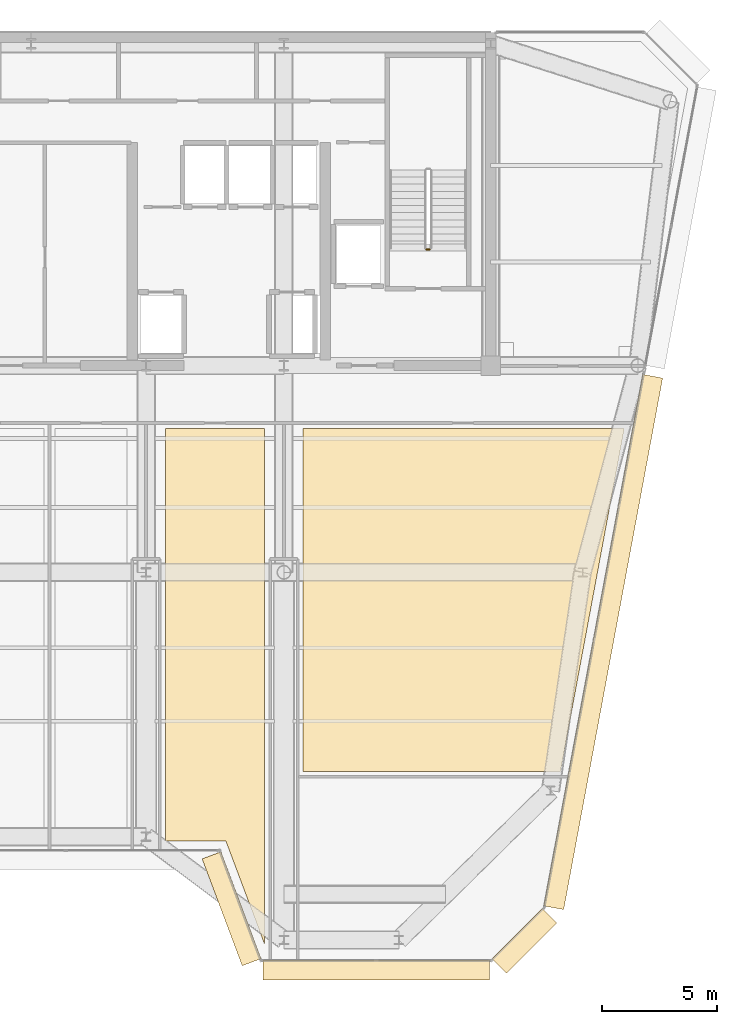
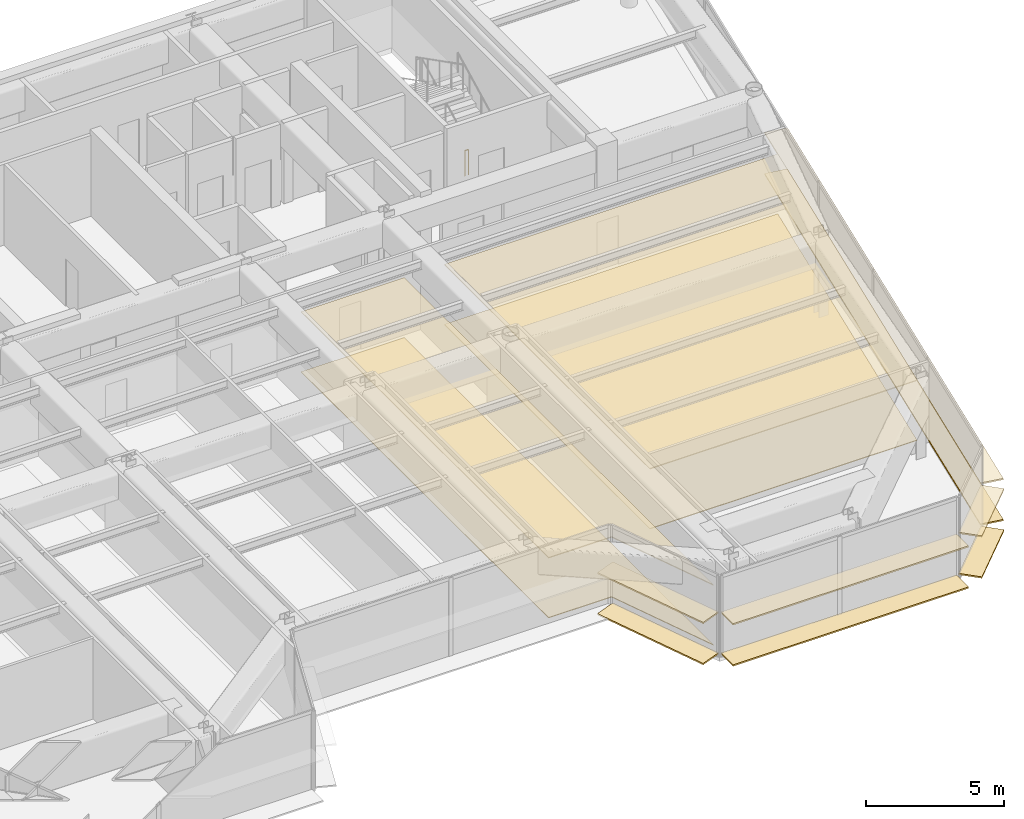
# One storey, part 15 of 18: 12 coverings, 1 railing.
"""IFC4 building model written with IfcOpenShell, lengths in metres."""

from ifc_helpers import new_model, si_unit, direction, frame, origin, origin_2d, place, context, subcontext, project, spatial, polyline, rectangle, circle, outline, extrude, source, transform, mapped, material, layer, layer_set, type_object, element, save


model = new_model("IFC4")

# Units and contexts
model_context = context("Model", 3, precision=1e-05, world=origin(), true_north=direction((0.0, 1.0)))
body_context = subcontext(model_context, "Body", "Model", "MODEL_VIEW")
ifc_project = project(units=[si_unit("LENGTHUNIT", "METRE"), si_unit("AREAUNIT", "SQUARE_METRE"), si_unit("VOLUMEUNIT", "CUBIC_METRE"), si_unit("PLANEANGLEUNIT", "RADIAN"), si_unit("MASSUNIT", "GRAM", prefix="KILO")], contexts=[model_context])

# Site, building, storey
site_placement = place(None, origin())
site = spatial("IfcSite", under=ifc_project, at=site_placement, CompositionType="ELEMENT")
building_placement = place(site_placement, origin())
building = spatial("IfcBuilding", under=site, at=building_placement, Name="Vaeldorn Concourse Tower", CompositionType="ELEMENT")
storey_placement = place(building_placement, frame((0.0, 0.0, 265.0)))
storey = spatial("IfcBuildingStorey", under=building, at=storey_placement, Name="L68", CompositionType="ELEMENT", Elevation=265.0)

# Coverings
ifc_material_1 = material(Name="Acoustic Mineral Fibre Board", Category="gypsum")
ifc_layer_1 = layer(ifc_material_1, 0.0400390625)
ifc_layer_set_1 = layer_set([ifc_layer_1], Name="Acoustic Mineral Fibre Board")
covering_type_1 = type_object("IfcCoveringType", Name="COV-CEIL-ACOUSTIC", PredefinedType="CEILING", material=ifc_layer_set_1)
covering_1_placement = place(storey_placement, frame((0.0, 0.0, 2.64990234375)))
element("IfcCovering", 1, at=covering_1_placement, inside=storey, type_object=covering_type_1, Name="Suspended Acoustic Ceiling L68-11", PredefinedType="CEILING", context=body_context, shape_type="SweptSolid", body=[
    extrude(outline(polyline([(39.840087890625, 15.800048828125), (39.840087890625, 33.760009765625), (44.159912109375, 33.760009765625), (44.159912109375, 11.3125), (42.477294921875, 15.800048828125), (39.840087890625, 15.800048828125)])), origin(), (0.0, 0.0, 1.0), 0.0400390625),
])
covering_2_placement = place(storey_placement, frame((0.0, 0.0, 2.64990234375)))
element("IfcCovering", 2, at=covering_2_placement, inside=storey, type_object=covering_type_1, Name="Suspended Acoustic Ceiling L68-12", PredefinedType="CEILING", context=body_context, shape_type="SweptSolid", body=[
    extrude(outline(polyline([(45.840087890625, 18.840087890625), (45.840087890625, 33.760009765625), (59.811279296875, 33.760009765625), (57.033203125, 18.840087890625), (45.840087890625, 18.840087890625)])), origin(), (0.0, 0.0, 1.0), 0.0400390625),
])
ifc_material_2 = material(Name="Honed Limestone Terrazzo Flooring", Category="masonry")
ifc_layer_2 = layer(ifc_material_2, 0.0400390625)
ifc_layer_set_2 = layer_set([ifc_layer_2], Name="Honed Limestone Terrazzo Flooring")
covering_type_2 = type_object("IfcCoveringType", Name="COV-FLOOR-STONE", PredefinedType="FLOORING", material=ifc_layer_set_2)
covering_3_placement = place(storey_placement, origin())
element("IfcCovering", 3, at=covering_3_placement, inside=storey, type_object=covering_type_2, Name="Floor Finish Covering L68-11", PredefinedType="FLOORING", context=body_context, shape_type="SweptSolid", body=[
    extrude(outline(polyline([(39.840087890625, 15.800048828125), (39.840087890625, 33.760009765625), (44.159912109375, 33.760009765625), (44.159912109375, 11.3125), (42.477294921875, 15.800048828125), (39.840087890625, 15.800048828125)])), origin(), (0.0, 0.0, 1.0), 0.030029296875),
])
covering_4_placement = place(storey_placement, origin())
element("IfcCovering", 4, at=covering_4_placement, inside=storey, type_object=covering_type_2, Name="Floor Finish Covering L68-12", PredefinedType="FLOORING", context=body_context, shape_type="SweptSolid", body=[
    extrude(outline(polyline([(45.840087890625, 18.840087890625), (45.840087890625, 33.760009765625), (59.811279296875, 33.760009765625), (57.033203125, 18.840087890625), (45.840087890625, 18.840087890625)])), origin(), (0.0, 0.0, 1.0), 0.030029296875),
])

# Railing
ifc_material_3 = material(Name="Anodised Bronze Aluminium", Category="aluminium")
railing_type = type_object("IfcRailingType", Name="RL-STAIR-GUARD", PredefinedType="GUARDRAIL", material=ifc_material_3)
railing_placement = place(storey_placement, frame((51.35009765625, 41.550048828125, 0.0)))
element("IfcRailing", 5, at=railing_placement, inside=storey, type_object=railing_type, Name="L68 ST-2 stair guard 4", PredefinedType="GUARDRAIL", context=body_context, shape_type="SweptSolid", body=[
    extrude(circle(Radius=0.02392578125, at=origin_2d()), frame((0.0, 0.0, 1.1259765625), z_axis=(-1.0, 0.0, 0.0), x_axis=(0.0, -1.0, 0.0)), (0.0, 0.0, 1.0), 0.150146484375),
    extrude(circle(Radius=0.02099609375, at=origin_2d()), origin(), (0.0, 0.0, 1.0), 1.101806640625),
    extrude(circle(Radius=0.02099609375, at=origin_2d()), frame((-0.150146484375, 0.0, 0.0)), (0.0, 0.0, 1.0), 1.101806640625),
])

# Coverings
ifc_layer_3 = layer(ifc_material_3, 0.06494140625)
ifc_layer_set_3 = layer_set([ifc_layer_3], Name="Anodised Bronze Aluminium")
covering_type_3 = type_object("IfcCoveringType", Name="SD-BRONZE-SUNSHADE", PredefinedType="USERDEFINED", material=ifc_layer_set_3)
shared_shape_1 = source(origin(), body_context, "Body", "SweptSolid", [
    extrude(rectangle(XDim=4.96630859375, YDim=0.8798828125, at=origin_2d()), origin(), (0.0, 0.0, 1.0), 0.06494140625),
])
for number, where, z_axis, x_axis, name in (
    (6, (42.7255859375, 12.859619140625, 0.047607421875), (0.0, 0.0, 1.0), (0.351122702609, -0.936329454686, 0.0), "Horizontal Bronze Sunshade L68-E04.1.1"),
    (7, (42.7255859375, 12.859619140625, 1.867431640625), (0.0, 0.0, 1.0), (0.351122702609, -0.936329454686, 0.0), "Horizontal Bronze Sunshade L68-E04.1.2"),
):
    element("IfcCovering", number, at=place(storey_placement, frame(where, z_axis=z_axis, x_axis=x_axis)), inside=storey, type_object=covering_type_3, Name=name, ObjectType="SUNSHADE", PredefinedType="USERDEFINED", context=body_context, shape_type="MappedRepresentation", body=[
        mapped(shared_shape_1, transform((0.0, 0.0, 0.0), scale=1.0)),
    ])
shared_shape_2 = source(origin(), body_context, "Body", "SweptSolid", [
    extrude(rectangle(XDim=3.0927734375, YDim=0.8798828125, at=origin_2d()), origin(), (0.0, 0.0, 1.0), 0.06494140625),
])
for number, where, z_axis, x_axis, name in (
    (8, (55.466796875, 11.46728515625, 0.047607421875), (0.0, 0.0, 1.0), (0.707106781187, 0.707106781187, 0.0), "Horizontal Bronze Sunshade L68-E06.1.1"),
    (9, (55.466796875, 11.46728515625, 1.867431640625), (0.0, 0.0, 1.0), (0.707106781187, 0.707106781187, 0.0), "Horizontal Bronze Sunshade L68-E06.1.2"),
):
    element("IfcCovering", number, at=place(storey_placement, frame(where, z_axis=z_axis, x_axis=x_axis)), inside=storey, type_object=covering_type_3, Name=name, ObjectType="SUNSHADE", PredefinedType="USERDEFINED", context=body_context, shape_type="MappedRepresentation", body=[
        mapped(shared_shape_2, transform((0.0, 0.0, 0.0), scale=1.0)),
    ])
shared_shape_3 = source(origin(), body_context, "Body", "SweptSolid", [
    extrude(rectangle(XDim=23.525146484375, YDim=0.8798828125, at=origin_2d()), origin(), (0.0, 0.0, 1.0), 0.06494140625),
])
for number, where, z_axis, x_axis, name in (
    (10, (58.89501953125, 24.46923828125, 0.047607421875), (0.0, 0.0, 1.0), (0.183059191151, 0.983101893262, 0.0), "Horizontal Bronze Sunshade L68-E07.1.1"),
    (11, (58.89501953125, 24.46923828125, 1.867431640625), (0.0, 0.0, 1.0), (0.183059191151, 0.983101893262, 0.0), "Horizontal Bronze Sunshade L68-E07.1.2"),
):
    element("IfcCovering", number, at=place(storey_placement, frame(where, z_axis=z_axis, x_axis=x_axis)), inside=storey, type_object=covering_type_3, Name=name, ObjectType="SUNSHADE", PredefinedType="USERDEFINED", context=body_context, shape_type="MappedRepresentation", body=[
        mapped(shared_shape_3, transform((0.0, 0.0, 0.0), scale=1.0)),
    ])
shared_shape_4 = source(origin(), body_context, "Body", "SweptSolid", [
    extrude(rectangle(XDim=9.8740234375, YDim=0.8798828125, at=origin_2d()), origin(), (0.0, 0.0, 1.0), 0.06494140625),
])
for number, where, z_axis, x_axis, name in (
    (12, (49.01708984375, 10.199951171875, 0.047607421875), (0.0, 0.0, 1.0), (1.0, 0.0, 0.0), "Horizontal Bronze Sunshade L68-E05.1.1"),
    (13, (49.01708984375, 10.199951171875, 1.867431640625), (0.0, 0.0, 1.0), (1.0, 0.0, 0.0), "Horizontal Bronze Sunshade L68-E05.1.2"),
):
    element("IfcCovering", number, at=place(storey_placement, frame(where, z_axis=z_axis, x_axis=x_axis)), inside=storey, type_object=covering_type_3, Name=name, ObjectType="SUNSHADE", PredefinedType="USERDEFINED", context=body_context, shape_type="MappedRepresentation", body=[
        mapped(shared_shape_4, transform((0.0, 0.0, 0.0), scale=1.0)),
    ])

save(model, "model.ifc")
